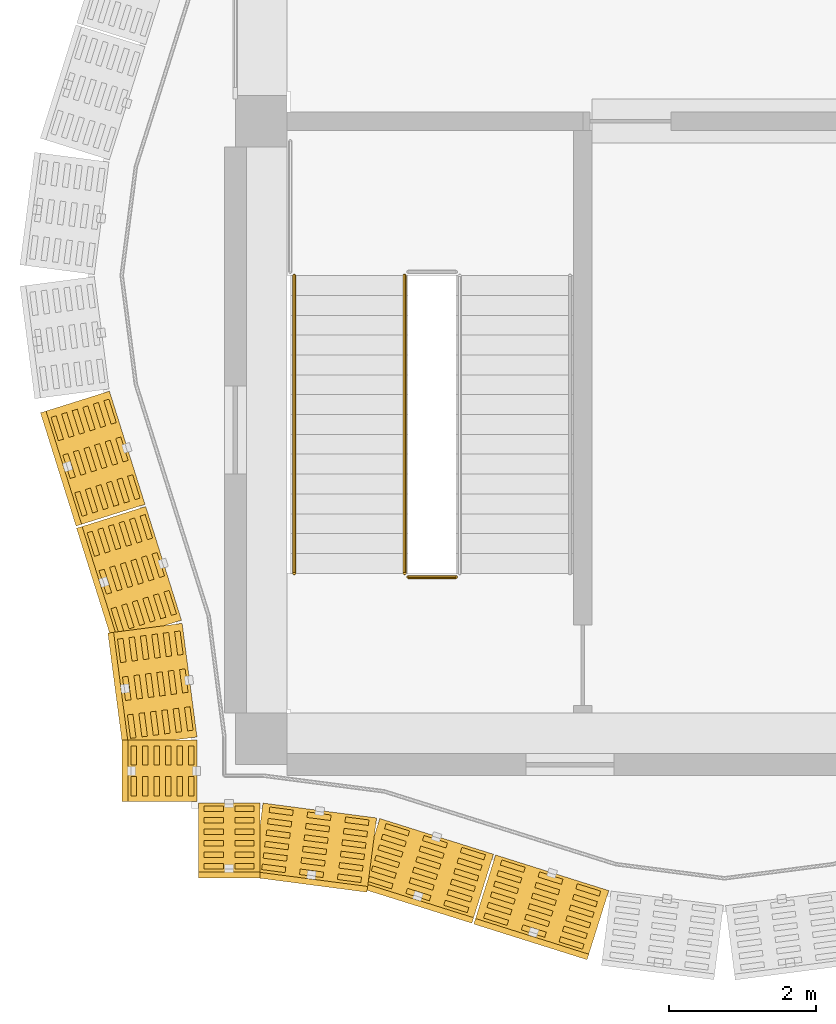
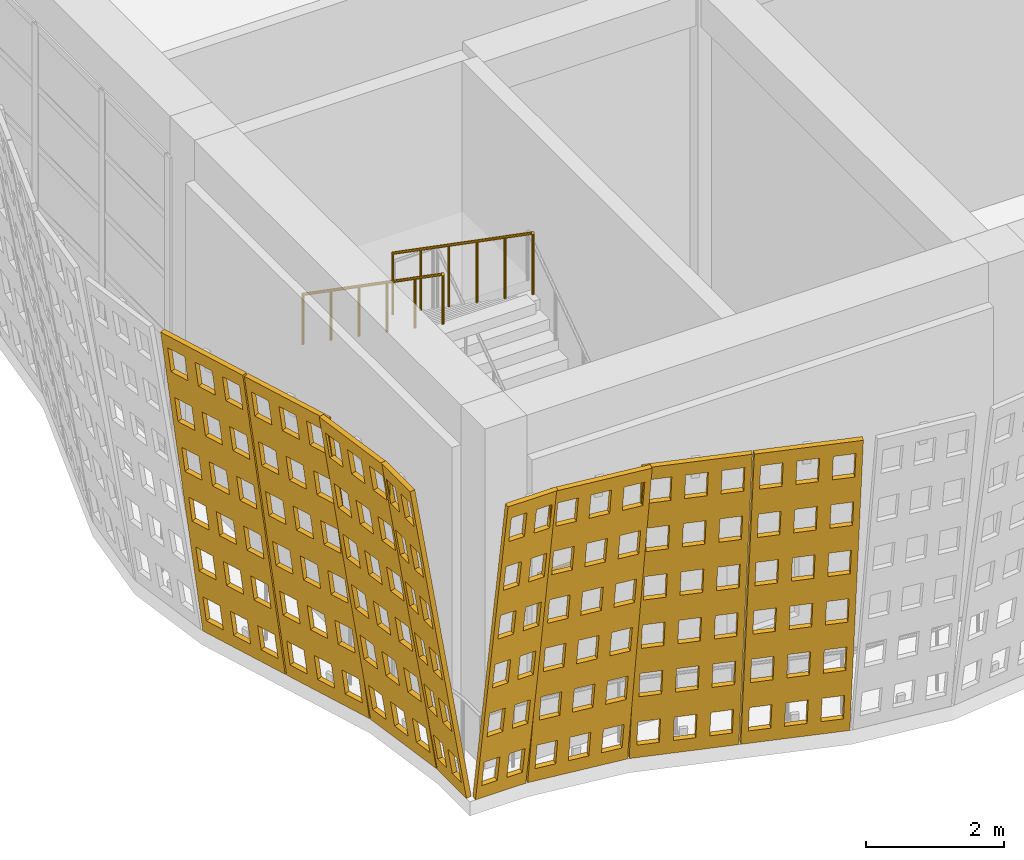
# One storey, part 148 of 210: 8 coverings, 3 railings.
"""IFC4 building model written with IfcOpenShell, lengths in metres."""

from ifc_helpers import new_model, si_unit, direction, frame, origin, origin_2d, place, context, subcontext, project, spatial, polyline, circle, outline, extrude, material, layer, layer_set, type_object, element, save


model = new_model("IFC4")

# Units and contexts
model_context = context("Model", 3, precision=1e-05, world=origin(), true_north=direction((0.0, 1.0)))
body_context = subcontext(model_context, "Body", "Model", "MODEL_VIEW")
ifc_project = project(units=[si_unit("LENGTHUNIT", "METRE"), si_unit("AREAUNIT", "SQUARE_METRE"), si_unit("VOLUMEUNIT", "CUBIC_METRE"), si_unit("PLANEANGLEUNIT", "RADIAN"), si_unit("MASSUNIT", "GRAM", prefix="KILO")], contexts=[model_context])

# Site, building, storey
site_placement = place(None, origin())
site = spatial("IfcSite", under=ifc_project, at=site_placement, CompositionType="ELEMENT")
building_placement = place(site_placement, origin())
building = spatial("IfcBuilding", under=site, at=building_placement, Name="Rain Tree Exposition and Congress Centre", CompositionType="ELEMENT")
storey_placement = place(building_placement, origin())
storey = spatial("IfcBuildingStorey", under=building, at=storey_placement, Name="L00", CompositionType="ELEMENT", Elevation=0.0)

# Coverings
ifc_material_1 = material(Name="Perforated terracotta", Category="masonry")
ifc_layer = layer(ifc_material_1, 0.080078125)
ifc_layer_set = layer_set([ifc_layer], Name="Perforated terracotta")
covering_type = type_object("IfcCoveringType", Name="Terracotta screen 80", PredefinedType="CLADDING", material=ifc_layer_set)
covering_1_placement = place(storey_placement, frame((0.0, -0.949951171875, 0.0), z_axis=(0.1280309309, 0.978522114732, 0.161562841373), x_axis=(-0.991548658387, 0.129735338481, 0.0)))
element("IfcCovering", 1, at=covering_1_placement, inside=storey, type_object=covering_type, Name="wing/screen/L00/001", PredefinedType="CLADDING", context=body_context, shape_type="SweptSolid", body=[
    extrude(outline(polyline([(-1.5732421875, 0.0), (-1.5732421875, 5.813720703125), (-0.014892578125, 5.813720703125), (-0.014892578125, 0.0), (-1.5732421875, 0.0)]), holes=[polyline([(-0.11376953125, 0.25), (-0.11376953125, 0.718994140625), (-0.435791015625, 0.718994140625), (-0.435791015625, 0.25), (-0.11376953125, 0.25)]), polyline([(-0.11376953125, 1.218994140625), (-0.11376953125, 1.687744140625), (-0.435791015625, 1.687744140625), (-0.435791015625, 1.218994140625), (-0.11376953125, 1.218994140625)]), polyline([(-0.11376953125, 2.18798828125), (-0.11376953125, 2.65673828125), (-0.435791015625, 2.65673828125), (-0.435791015625, 2.18798828125), (-0.11376953125, 2.18798828125)]), polyline([(-0.11376953125, 3.15673828125), (-0.11376953125, 3.625732421875), (-0.435791015625, 3.625732421875), (-0.435791015625, 3.15673828125), (-0.11376953125, 3.15673828125)]), polyline([(-0.11376953125, 4.125732421875), (-0.11376953125, 4.594482421875), (-0.435791015625, 4.594482421875), (-0.435791015625, 4.125732421875), (-0.11376953125, 4.125732421875)]), polyline([(-0.11376953125, 5.0947265625), (-0.11376953125, 5.5634765625), (-0.435791015625, 5.5634765625), (-0.435791015625, 5.0947265625), (-0.11376953125, 5.0947265625)]), polyline([(-0.633056640625, 0.25), (-0.633056640625, 0.718994140625), (-0.955078125, 0.718994140625), (-0.955078125, 0.25), (-0.633056640625, 0.25)]), polyline([(-0.633056640625, 1.218994140625), (-0.633056640625, 1.687744140625), (-0.955078125, 1.687744140625), (-0.955078125, 1.218994140625), (-0.633056640625, 1.218994140625)]), polyline([(-0.633056640625, 2.18798828125), (-0.633056640625, 2.65673828125), (-0.955078125, 2.65673828125), (-0.955078125, 2.18798828125), (-0.633056640625, 2.18798828125)]), polyline([(-0.633056640625, 3.15673828125), (-0.633056640625, 3.625732421875), (-0.955078125, 3.625732421875), (-0.955078125, 3.15673828125), (-0.633056640625, 3.15673828125)]), polyline([(-0.633056640625, 4.125732421875), (-0.633056640625, 4.594482421875), (-0.955078125, 4.594482421875), (-0.955078125, 4.125732421875), (-0.633056640625, 4.125732421875)]), polyline([(-0.633056640625, 5.0947265625), (-0.633056640625, 5.5634765625), (-0.955078125, 5.5634765625), (-0.955078125, 5.0947265625), (-0.633056640625, 5.0947265625)]), polyline([(-1.152587890625, 0.25), (-1.152587890625, 0.718994140625), (-1.474609375, 0.718994140625), (-1.474609375, 0.25), (-1.152587890625, 0.25)]), polyline([(-1.152587890625, 1.218994140625), (-1.152587890625, 1.687744140625), (-1.474609375, 1.687744140625), (-1.474609375, 1.218994140625), (-1.152587890625, 1.218994140625)]), polyline([(-1.152587890625, 2.18798828125), (-1.152587890625, 2.65673828125), (-1.474609375, 2.65673828125), (-1.474609375, 2.18798828125), (-1.152587890625, 2.18798828125)]), polyline([(-1.152587890625, 3.15673828125), (-1.152587890625, 3.625732421875), (-1.474609375, 3.625732421875), (-1.474609375, 3.15673828125), (-1.152587890625, 3.15673828125)]), polyline([(-1.152587890625, 4.125732421875), (-1.152587890625, 4.594482421875), (-1.474609375, 4.594482421875), (-1.474609375, 4.125732421875), (-1.152587890625, 4.125732421875)]), polyline([(-1.152587890625, 5.0947265625), (-1.152587890625, 5.5634765625), (-1.474609375, 5.5634765625), (-1.474609375, 5.0947265625), (-1.152587890625, 5.0947265625)])]), origin(), (0.0, 0.0, 1.0), 0.080078125),
])
covering_2_placement = place(storey_placement, frame((1.574951171875, -1.155029296875, 0.0), z_axis=(0.295859611525, 0.942480618158, 0.155555053482), x_axis=(-0.954094597562, 0.29950542383, 0.0)))
element("IfcCovering", 2, at=covering_2_placement, inside=storey, type_object=covering_type, Name="wing/screen/L00/002", PredefinedType="CLADDING", context=body_context, shape_type="SweptSolid", body=[
    extrude(outline(polyline([(-1.635986328125, 0.0), (-1.635986328125, 5.808349609375), (-0.014892578125, 5.808349609375), (-0.014892578125, 0.0), (-1.635986328125, 0.0)]), holes=[polyline([(-0.11767578125, 0.249755859375), (-0.11767578125, 0.71826171875), (-0.45263671875, 0.71826171875), (-0.45263671875, 0.249755859375), (-0.11767578125, 0.249755859375)]), polyline([(-0.11767578125, 1.218017578125), (-0.11767578125, 1.686279296875), (-0.45263671875, 1.686279296875), (-0.45263671875, 1.218017578125), (-0.11767578125, 1.218017578125)]), polyline([(-0.11767578125, 2.18603515625), (-0.11767578125, 2.654296875), (-0.45263671875, 2.654296875), (-0.45263671875, 2.18603515625), (-0.11767578125, 2.18603515625)]), polyline([(-0.11767578125, 3.154052734375), (-0.11767578125, 3.62255859375), (-0.45263671875, 3.62255859375), (-0.45263671875, 3.154052734375), (-0.11767578125, 3.154052734375)]), polyline([(-0.11767578125, 4.1220703125), (-0.11767578125, 4.590576171875), (-0.45263671875, 4.590576171875), (-0.45263671875, 4.1220703125), (-0.11767578125, 4.1220703125)]), polyline([(-0.11767578125, 5.090087890625), (-0.11767578125, 5.55859375), (-0.45263671875, 5.55859375), (-0.45263671875, 5.090087890625), (-0.11767578125, 5.090087890625)]), polyline([(-0.657958984375, 0.249755859375), (-0.657958984375, 0.71826171875), (-0.992919921875, 0.71826171875), (-0.992919921875, 0.249755859375), (-0.657958984375, 0.249755859375)]), polyline([(-0.657958984375, 1.218017578125), (-0.657958984375, 1.686279296875), (-0.992919921875, 1.686279296875), (-0.992919921875, 1.218017578125), (-0.657958984375, 1.218017578125)]), polyline([(-0.657958984375, 2.18603515625), (-0.657958984375, 2.654296875), (-0.992919921875, 2.654296875), (-0.992919921875, 2.18603515625), (-0.657958984375, 2.18603515625)]), polyline([(-0.657958984375, 3.154052734375), (-0.657958984375, 3.62255859375), (-0.992919921875, 3.62255859375), (-0.992919921875, 3.154052734375), (-0.657958984375, 3.154052734375)]), polyline([(-0.657958984375, 4.1220703125), (-0.657958984375, 4.590576171875), (-0.992919921875, 4.590576171875), (-0.992919921875, 4.1220703125), (-0.657958984375, 4.1220703125)]), polyline([(-0.657958984375, 5.090087890625), (-0.657958984375, 5.55859375), (-0.992919921875, 5.55859375), (-0.992919921875, 5.090087890625), (-0.657958984375, 5.090087890625)]), polyline([(-1.1982421875, 0.249755859375), (-1.1982421875, 0.71826171875), (-1.533203125, 0.71826171875), (-1.533203125, 0.249755859375), (-1.1982421875, 0.249755859375)]), polyline([(-1.1982421875, 1.218017578125), (-1.1982421875, 1.686279296875), (-1.533203125, 1.686279296875), (-1.533203125, 1.218017578125), (-1.1982421875, 1.218017578125)]), polyline([(-1.1982421875, 2.18603515625), (-1.1982421875, 2.654296875), (-1.533203125, 2.654296875), (-1.533203125, 2.18603515625), (-1.1982421875, 2.18603515625)]), polyline([(-1.1982421875, 3.154052734375), (-1.1982421875, 3.62255859375), (-1.533203125, 3.62255859375), (-1.533203125, 3.154052734375), (-1.1982421875, 3.154052734375)]), polyline([(-1.1982421875, 4.1220703125), (-1.1982421875, 4.590576171875), (-1.533203125, 4.590576171875), (-1.533203125, 4.1220703125), (-1.1982421875, 4.1220703125)]), polyline([(-1.1982421875, 5.090087890625), (-1.1982421875, 5.55859375), (-1.533203125, 5.55859375), (-1.533203125, 5.090087890625), (-1.1982421875, 5.090087890625)])]), origin(), (0.0, 0.0, 1.0), 0.080078125),
])
covering_3_placement = place(storey_placement, frame((3.14990234375, -1.64990234375, 0.0), z_axis=(0.296712403937, 0.94213835477, 0.156003428874), x_axis=(-0.953816392794, 0.300390227601, 0.0)))
element("IfcCovering", 3, at=covering_3_placement, inside=storey, type_object=covering_type, Name="wing/screen/L00/003", PredefinedType="CLADDING", context=body_context, shape_type="SweptSolid", body=[
    extrude(outline(polyline([(-1.62890625, 0.0), (-1.62890625, 5.808349609375), (-0.014892578125, 5.808349609375), (-0.014892578125, 0.0), (-1.62890625, 0.0)]), holes=[polyline([(-0.1171875, 0.249755859375), (-0.1171875, 0.71826171875), (-0.45068359375, 0.71826171875), (-0.45068359375, 0.249755859375), (-0.1171875, 0.249755859375)]), polyline([(-0.1171875, 1.218017578125), (-0.1171875, 1.686279296875), (-0.45068359375, 1.686279296875), (-0.45068359375, 1.218017578125), (-0.1171875, 1.218017578125)]), polyline([(-0.1171875, 2.18603515625), (-0.1171875, 2.654296875), (-0.45068359375, 2.654296875), (-0.45068359375, 2.18603515625), (-0.1171875, 2.18603515625)]), polyline([(-0.1171875, 3.154052734375), (-0.1171875, 3.62255859375), (-0.45068359375, 3.62255859375), (-0.45068359375, 3.154052734375), (-0.1171875, 3.154052734375)]), polyline([(-0.1171875, 4.1220703125), (-0.1171875, 4.590576171875), (-0.45068359375, 4.590576171875), (-0.45068359375, 4.1220703125), (-0.1171875, 4.1220703125)]), polyline([(-0.1171875, 5.090087890625), (-0.1171875, 5.55859375), (-0.45068359375, 5.55859375), (-0.45068359375, 5.090087890625), (-0.1171875, 5.090087890625)]), polyline([(-0.6552734375, 0.249755859375), (-0.6552734375, 0.71826171875), (-0.98876953125, 0.71826171875), (-0.98876953125, 0.249755859375), (-0.6552734375, 0.249755859375)]), polyline([(-0.6552734375, 1.218017578125), (-0.6552734375, 1.686279296875), (-0.98876953125, 1.686279296875), (-0.98876953125, 1.218017578125), (-0.6552734375, 1.218017578125)]), polyline([(-0.6552734375, 2.18603515625), (-0.6552734375, 2.654296875), (-0.98876953125, 2.654296875), (-0.98876953125, 2.18603515625), (-0.6552734375, 2.18603515625)]), polyline([(-0.6552734375, 3.154052734375), (-0.6552734375, 3.62255859375), (-0.98876953125, 3.62255859375), (-0.98876953125, 3.154052734375), (-0.6552734375, 3.154052734375)]), polyline([(-0.6552734375, 4.1220703125), (-0.6552734375, 4.590576171875), (-0.98876953125, 4.590576171875), (-0.98876953125, 4.1220703125), (-0.6552734375, 4.1220703125)]), polyline([(-0.6552734375, 5.090087890625), (-0.6552734375, 5.55859375), (-0.98876953125, 5.55859375), (-0.98876953125, 5.090087890625), (-0.6552734375, 5.090087890625)]), polyline([(-1.193115234375, 0.249755859375), (-1.193115234375, 0.71826171875), (-1.526611328125, 0.71826171875), (-1.526611328125, 0.249755859375), (-1.193115234375, 0.249755859375)]), polyline([(-1.193115234375, 1.218017578125), (-1.193115234375, 1.686279296875), (-1.526611328125, 1.686279296875), (-1.526611328125, 1.218017578125), (-1.193115234375, 1.218017578125)]), polyline([(-1.193115234375, 2.18603515625), (-1.193115234375, 2.654296875), (-1.526611328125, 2.654296875), (-1.526611328125, 2.18603515625), (-1.193115234375, 2.18603515625)]), polyline([(-1.193115234375, 3.154052734375), (-1.193115234375, 3.62255859375), (-1.526611328125, 3.62255859375), (-1.526611328125, 3.154052734375), (-1.193115234375, 3.154052734375)]), polyline([(-1.193115234375, 4.1220703125), (-1.193115234375, 4.590576171875), (-1.526611328125, 4.590576171875), (-1.526611328125, 4.1220703125), (-1.193115234375, 4.1220703125)]), polyline([(-1.193115234375, 5.090087890625), (-1.193115234375, 5.55859375), (-1.526611328125, 5.55859375), (-1.526611328125, 5.090087890625), (-1.193115234375, 5.090087890625)])]), origin(), (0.0, 0.0, 1.0), 0.079833984375),
])
covering_4_placement = place(storey_placement, frame((-2.14501953125, 4.72509765625, 0.0), z_axis=(0.942480618158, 0.295859611525, 0.155555053482), x_axis=(-0.29950542383, 0.954094597562, 0.0)))
element("IfcCovering", 4, at=covering_4_placement, inside=storey, type_object=covering_type, Name="wing/screen/L00/132", PredefinedType="CLADDING", context=body_context, shape_type="SweptSolid", body=[
    extrude(outline(polyline([(-1.635986328125, 0.0), (-1.635986328125, 5.808349609375), (-0.02197265625, 5.808349609375), (-0.02197265625, 0.0), (-1.635986328125, 0.0)]), holes=[polyline([(-0.124267578125, 0.249755859375), (-0.124267578125, 0.71826171875), (-0.457763671875, 0.71826171875), (-0.457763671875, 0.249755859375), (-0.124267578125, 0.249755859375)]), polyline([(-0.124267578125, 1.218017578125), (-0.124267578125, 1.686279296875), (-0.457763671875, 1.686279296875), (-0.457763671875, 1.218017578125), (-0.124267578125, 1.218017578125)]), polyline([(-0.124267578125, 2.18603515625), (-0.124267578125, 2.654296875), (-0.457763671875, 2.654296875), (-0.457763671875, 2.18603515625), (-0.124267578125, 2.18603515625)]), polyline([(-0.124267578125, 3.154052734375), (-0.124267578125, 3.62255859375), (-0.457763671875, 3.62255859375), (-0.457763671875, 3.154052734375), (-0.124267578125, 3.154052734375)]), polyline([(-0.124267578125, 4.1220703125), (-0.124267578125, 4.590576171875), (-0.457763671875, 4.590576171875), (-0.457763671875, 4.1220703125), (-0.124267578125, 4.1220703125)]), polyline([(-0.124267578125, 5.090087890625), (-0.124267578125, 5.55859375), (-0.457763671875, 5.55859375), (-0.457763671875, 5.090087890625), (-0.124267578125, 5.090087890625)]), polyline([(-0.662109375, 0.249755859375), (-0.662109375, 0.71826171875), (-0.995849609375, 0.71826171875), (-0.995849609375, 0.249755859375), (-0.662109375, 0.249755859375)]), polyline([(-0.662109375, 1.218017578125), (-0.662109375, 1.686279296875), (-0.995849609375, 1.686279296875), (-0.995849609375, 1.218017578125), (-0.662109375, 1.218017578125)]), polyline([(-0.662109375, 2.18603515625), (-0.662109375, 2.654296875), (-0.995849609375, 2.654296875), (-0.995849609375, 2.18603515625), (-0.662109375, 2.18603515625)]), polyline([(-0.662109375, 3.154052734375), (-0.662109375, 3.62255859375), (-0.995849609375, 3.62255859375), (-0.995849609375, 3.154052734375), (-0.662109375, 3.154052734375)]), polyline([(-0.662109375, 4.1220703125), (-0.662109375, 4.590576171875), (-0.995849609375, 4.590576171875), (-0.995849609375, 4.1220703125), (-0.662109375, 4.1220703125)]), polyline([(-0.662109375, 5.090087890625), (-0.662109375, 5.55859375), (-0.995849609375, 5.55859375), (-0.995849609375, 5.090087890625), (-0.662109375, 5.090087890625)]), polyline([(-1.2001953125, 0.249755859375), (-1.2001953125, 0.71826171875), (-1.53369140625, 0.71826171875), (-1.53369140625, 0.249755859375), (-1.2001953125, 0.249755859375)]), polyline([(-1.2001953125, 1.218017578125), (-1.2001953125, 1.686279296875), (-1.53369140625, 1.686279296875), (-1.53369140625, 1.218017578125), (-1.2001953125, 1.218017578125)]), polyline([(-1.2001953125, 2.18603515625), (-1.2001953125, 2.654296875), (-1.53369140625, 2.654296875), (-1.53369140625, 2.18603515625), (-1.2001953125, 2.18603515625)]), polyline([(-1.2001953125, 3.154052734375), (-1.2001953125, 3.62255859375), (-1.53369140625, 3.62255859375), (-1.53369140625, 3.154052734375), (-1.2001953125, 3.154052734375)]), polyline([(-1.2001953125, 4.1220703125), (-1.2001953125, 4.590576171875), (-1.53369140625, 4.590576171875), (-1.53369140625, 4.1220703125), (-1.2001953125, 4.1220703125)]), polyline([(-1.2001953125, 5.090087890625), (-1.2001953125, 5.55859375), (-1.53369140625, 5.55859375), (-1.53369140625, 5.090087890625), (-1.2001953125, 5.090087890625)])]), origin(), (0.0, 0.0, 1.0), 0.080078125),
])
covering_5_placement = place(storey_placement, frame((-1.64990234375, 3.14990234375, 0.0), z_axis=(0.94213835477, 0.296712403937, 0.156003428874), x_axis=(-0.300390227601, 0.953816392794, 0.0)))
element("IfcCovering", 5, at=covering_5_placement, inside=storey, type_object=covering_type, Name="wing/screen/L00/133", PredefinedType="CLADDING", context=body_context, shape_type="SweptSolid", body=[
    extrude(outline(polyline([(-1.635986328125, 0.0), (-1.635986328125, 5.808349609375), (-0.014892578125, 5.808349609375), (-0.014892578125, 0.0), (-1.635986328125, 0.0)]), holes=[polyline([(-0.11767578125, 0.249755859375), (-0.11767578125, 0.71826171875), (-0.45263671875, 0.71826171875), (-0.45263671875, 0.249755859375), (-0.11767578125, 0.249755859375)]), polyline([(-0.11767578125, 1.218017578125), (-0.11767578125, 1.686279296875), (-0.45263671875, 1.686279296875), (-0.45263671875, 1.218017578125), (-0.11767578125, 1.218017578125)]), polyline([(-0.11767578125, 2.18603515625), (-0.11767578125, 2.654296875), (-0.45263671875, 2.654296875), (-0.45263671875, 2.18603515625), (-0.11767578125, 2.18603515625)]), polyline([(-0.11767578125, 3.154052734375), (-0.11767578125, 3.62255859375), (-0.45263671875, 3.62255859375), (-0.45263671875, 3.154052734375), (-0.11767578125, 3.154052734375)]), polyline([(-0.11767578125, 4.1220703125), (-0.11767578125, 4.590576171875), (-0.45263671875, 4.590576171875), (-0.45263671875, 4.1220703125), (-0.11767578125, 4.1220703125)]), polyline([(-0.11767578125, 5.090087890625), (-0.11767578125, 5.55859375), (-0.45263671875, 5.55859375), (-0.45263671875, 5.090087890625), (-0.11767578125, 5.090087890625)]), polyline([(-0.657958984375, 0.249755859375), (-0.657958984375, 0.71826171875), (-0.992919921875, 0.71826171875), (-0.992919921875, 0.249755859375), (-0.657958984375, 0.249755859375)]), polyline([(-0.657958984375, 1.218017578125), (-0.657958984375, 1.686279296875), (-0.992919921875, 1.686279296875), (-0.992919921875, 1.218017578125), (-0.657958984375, 1.218017578125)]), polyline([(-0.657958984375, 2.18603515625), (-0.657958984375, 2.654296875), (-0.992919921875, 2.654296875), (-0.992919921875, 2.18603515625), (-0.657958984375, 2.18603515625)]), polyline([(-0.657958984375, 3.154052734375), (-0.657958984375, 3.62255859375), (-0.992919921875, 3.62255859375), (-0.992919921875, 3.154052734375), (-0.657958984375, 3.154052734375)]), polyline([(-0.657958984375, 4.1220703125), (-0.657958984375, 4.590576171875), (-0.992919921875, 4.590576171875), (-0.992919921875, 4.1220703125), (-0.657958984375, 4.1220703125)]), polyline([(-0.657958984375, 5.090087890625), (-0.657958984375, 5.55859375), (-0.992919921875, 5.55859375), (-0.992919921875, 5.090087890625), (-0.657958984375, 5.090087890625)]), polyline([(-1.1982421875, 0.249755859375), (-1.1982421875, 0.71826171875), (-1.533203125, 0.71826171875), (-1.533203125, 0.249755859375), (-1.1982421875, 0.249755859375)]), polyline([(-1.1982421875, 1.218017578125), (-1.1982421875, 1.686279296875), (-1.533203125, 1.686279296875), (-1.533203125, 1.218017578125), (-1.1982421875, 1.218017578125)]), polyline([(-1.1982421875, 2.18603515625), (-1.1982421875, 2.654296875), (-1.533203125, 2.654296875), (-1.533203125, 2.18603515625), (-1.1982421875, 2.18603515625)]), polyline([(-1.1982421875, 3.154052734375), (-1.1982421875, 3.62255859375), (-1.533203125, 3.62255859375), (-1.533203125, 3.154052734375), (-1.1982421875, 3.154052734375)]), polyline([(-1.1982421875, 4.1220703125), (-1.1982421875, 4.590576171875), (-1.533203125, 4.590576171875), (-1.533203125, 4.1220703125), (-1.1982421875, 4.1220703125)]), polyline([(-1.1982421875, 5.090087890625), (-1.1982421875, 5.55859375), (-1.533203125, 5.55859375), (-1.533203125, 5.090087890625), (-1.1982421875, 5.090087890625)])]), origin(), (0.0, 0.0, 1.0), 0.079833984375),
])
covering_6_placement = place(storey_placement, frame((-1.155029296875, 1.574951171875, 0.0), z_axis=(0.978522114732, 0.1280309309, 0.161562841373), x_axis=(-0.129735338481, 0.991548658387, 0.0)))
element("IfcCovering", 6, at=covering_6_placement, inside=storey, type_object=covering_type, Name="wing/screen/L00/134", PredefinedType="CLADDING", context=body_context, shape_type="SweptSolid", body=[
    extrude(outline(polyline([(-1.5732421875, 0.0), (-1.5732421875, 5.813720703125), (-0.014892578125, 5.813720703125), (-0.014892578125, 0.0), (-1.5732421875, 0.0)]), holes=[polyline([(-0.11376953125, 0.25), (-0.11376953125, 0.718994140625), (-0.435791015625, 0.718994140625), (-0.435791015625, 0.25), (-0.11376953125, 0.25)]), polyline([(-0.11376953125, 1.218994140625), (-0.11376953125, 1.687744140625), (-0.435791015625, 1.687744140625), (-0.435791015625, 1.218994140625), (-0.11376953125, 1.218994140625)]), polyline([(-0.11376953125, 2.18798828125), (-0.11376953125, 2.65673828125), (-0.435791015625, 2.65673828125), (-0.435791015625, 2.18798828125), (-0.11376953125, 2.18798828125)]), polyline([(-0.11376953125, 3.15673828125), (-0.11376953125, 3.625732421875), (-0.435791015625, 3.625732421875), (-0.435791015625, 3.15673828125), (-0.11376953125, 3.15673828125)]), polyline([(-0.11376953125, 4.125732421875), (-0.11376953125, 4.594482421875), (-0.435791015625, 4.594482421875), (-0.435791015625, 4.125732421875), (-0.11376953125, 4.125732421875)]), polyline([(-0.11376953125, 5.0947265625), (-0.11376953125, 5.5634765625), (-0.435791015625, 5.5634765625), (-0.435791015625, 5.0947265625), (-0.11376953125, 5.0947265625)]), polyline([(-0.633056640625, 0.25), (-0.633056640625, 0.718994140625), (-0.955078125, 0.718994140625), (-0.955078125, 0.25), (-0.633056640625, 0.25)]), polyline([(-0.633056640625, 1.218994140625), (-0.633056640625, 1.687744140625), (-0.955078125, 1.687744140625), (-0.955078125, 1.218994140625), (-0.633056640625, 1.218994140625)]), polyline([(-0.633056640625, 2.18798828125), (-0.633056640625, 2.65673828125), (-0.955078125, 2.65673828125), (-0.955078125, 2.18798828125), (-0.633056640625, 2.18798828125)]), polyline([(-0.633056640625, 3.15673828125), (-0.633056640625, 3.625732421875), (-0.955078125, 3.625732421875), (-0.955078125, 3.15673828125), (-0.633056640625, 3.15673828125)]), polyline([(-0.633056640625, 4.125732421875), (-0.633056640625, 4.594482421875), (-0.955078125, 4.594482421875), (-0.955078125, 4.125732421875), (-0.633056640625, 4.125732421875)]), polyline([(-0.633056640625, 5.0947265625), (-0.633056640625, 5.5634765625), (-0.955078125, 5.5634765625), (-0.955078125, 5.0947265625), (-0.633056640625, 5.0947265625)]), polyline([(-1.152587890625, 0.25), (-1.152587890625, 0.718994140625), (-1.474609375, 0.718994140625), (-1.474609375, 0.25), (-1.152587890625, 0.25)]), polyline([(-1.152587890625, 1.218994140625), (-1.152587890625, 1.687744140625), (-1.474609375, 1.687744140625), (-1.474609375, 1.218994140625), (-1.152587890625, 1.218994140625)]), polyline([(-1.152587890625, 2.18798828125), (-1.152587890625, 2.65673828125), (-1.474609375, 2.65673828125), (-1.474609375, 2.18798828125), (-1.152587890625, 2.18798828125)]), polyline([(-1.152587890625, 3.15673828125), (-1.152587890625, 3.625732421875), (-1.474609375, 3.625732421875), (-1.474609375, 3.15673828125), (-1.152587890625, 3.15673828125)]), polyline([(-1.152587890625, 4.125732421875), (-1.152587890625, 4.594482421875), (-1.474609375, 4.594482421875), (-1.474609375, 4.125732421875), (-1.152587890625, 4.125732421875)]), polyline([(-1.152587890625, 5.0947265625), (-1.152587890625, 5.5634765625), (-1.474609375, 5.5634765625), (-1.474609375, 5.0947265625), (-1.152587890625, 5.0947265625)])]), origin(), (0.0, 0.0, 1.0), 0.080078125),
])
covering_7_placement = place(storey_placement, frame((-0.949951171875, 0.0, 0.0), z_axis=(0.98680366745, 0.0, 0.161921344814), x_axis=(0.0, 1.0, 0.0)))
element("IfcCovering", 7, at=covering_7_placement, inside=storey, type_object=covering_type, Name="wing/screen/L00/135", PredefinedType="CLADDING", context=body_context, shape_type="SweptSolid", body=[
    extrude(outline(polyline([(-0.85498046875, 0.0), (-0.85498046875, 5.814697265625), (-0.014892578125, 5.814697265625), (-0.014892578125, 0.0), (-0.85498046875, 0.0)]), holes=[polyline([(-0.0947265625, 0.25), (-0.0947265625, 0.718994140625), (-0.355224609375, 0.718994140625), (-0.355224609375, 0.25), (-0.0947265625, 0.25)]), polyline([(-0.0947265625, 1.21923828125), (-0.0947265625, 1.688232421875), (-0.355224609375, 1.688232421875), (-0.355224609375, 1.21923828125), (-0.0947265625, 1.21923828125)]), polyline([(-0.0947265625, 2.1884765625), (-0.0947265625, 2.6572265625), (-0.355224609375, 2.6572265625), (-0.355224609375, 2.1884765625), (-0.0947265625, 2.1884765625)]), polyline([(-0.0947265625, 3.157470703125), (-0.0947265625, 3.62646484375), (-0.355224609375, 3.62646484375), (-0.355224609375, 3.157470703125), (-0.0947265625, 3.157470703125)]), polyline([(-0.0947265625, 4.126708984375), (-0.0947265625, 4.595458984375), (-0.355224609375, 4.595458984375), (-0.355224609375, 4.126708984375), (-0.0947265625, 4.126708984375)]), polyline([(-0.0947265625, 5.095703125), (-0.0947265625, 5.564697265625), (-0.355224609375, 5.564697265625), (-0.355224609375, 5.095703125), (-0.0947265625, 5.095703125)]), polyline([(-0.514892578125, 0.25), (-0.514892578125, 0.718994140625), (-0.775146484375, 0.718994140625), (-0.775146484375, 0.25), (-0.514892578125, 0.25)]), polyline([(-0.514892578125, 1.21923828125), (-0.514892578125, 1.688232421875), (-0.775146484375, 1.688232421875), (-0.775146484375, 1.21923828125), (-0.514892578125, 1.21923828125)]), polyline([(-0.514892578125, 2.1884765625), (-0.514892578125, 2.6572265625), (-0.775146484375, 2.6572265625), (-0.775146484375, 2.1884765625), (-0.514892578125, 2.1884765625)]), polyline([(-0.514892578125, 3.157470703125), (-0.514892578125, 3.62646484375), (-0.775146484375, 3.62646484375), (-0.775146484375, 3.157470703125), (-0.514892578125, 3.157470703125)]), polyline([(-0.514892578125, 4.126708984375), (-0.514892578125, 4.595458984375), (-0.775146484375, 4.595458984375), (-0.775146484375, 4.126708984375), (-0.514892578125, 4.126708984375)]), polyline([(-0.514892578125, 5.095703125), (-0.514892578125, 5.564697265625), (-0.775146484375, 5.564697265625), (-0.775146484375, 5.095703125), (-0.514892578125, 5.095703125)])]), origin(), (0.0, 0.0, 1.0), 0.079833984375),
])
covering_8_placement = place(storey_placement, frame((-0.949951171875, -0.949951171875, 0.0), z_axis=(0.0, 0.98680366745, 0.161921344814), x_axis=(-1.0, 0.0, 0.0)))
element("IfcCovering", 8, at=covering_8_placement, inside=storey, type_object=covering_type, Name="wing/screen/L00/136", PredefinedType="CLADDING", context=body_context, shape_type="SweptSolid", body=[
    extrude(outline(polyline([(-0.93505859375, 0.0), (-0.93505859375, 5.814697265625), (-0.094970703125, 5.814697265625), (-0.094970703125, 0.0), (-0.93505859375, 0.0)]), holes=[polyline([(-0.1748046875, 0.25), (-0.1748046875, 0.718994140625), (-0.435302734375, 0.718994140625), (-0.435302734375, 0.25), (-0.1748046875, 0.25)]), polyline([(-0.1748046875, 1.21923828125), (-0.1748046875, 1.688232421875), (-0.435302734375, 1.688232421875), (-0.435302734375, 1.21923828125), (-0.1748046875, 1.21923828125)]), polyline([(-0.1748046875, 2.1884765625), (-0.1748046875, 2.6572265625), (-0.435302734375, 2.6572265625), (-0.435302734375, 2.1884765625), (-0.1748046875, 2.1884765625)]), polyline([(-0.1748046875, 3.157470703125), (-0.1748046875, 3.62646484375), (-0.435302734375, 3.62646484375), (-0.435302734375, 3.157470703125), (-0.1748046875, 3.157470703125)]), polyline([(-0.1748046875, 4.126708984375), (-0.1748046875, 4.595458984375), (-0.435302734375, 4.595458984375), (-0.435302734375, 4.126708984375), (-0.1748046875, 4.126708984375)]), polyline([(-0.1748046875, 5.095703125), (-0.1748046875, 5.564697265625), (-0.435302734375, 5.564697265625), (-0.435302734375, 5.095703125), (-0.1748046875, 5.095703125)]), polyline([(-0.5947265625, 0.25), (-0.5947265625, 0.718994140625), (-0.855224609375, 0.718994140625), (-0.855224609375, 0.25), (-0.5947265625, 0.25)]), polyline([(-0.5947265625, 1.21923828125), (-0.5947265625, 1.688232421875), (-0.855224609375, 1.688232421875), (-0.855224609375, 1.21923828125), (-0.5947265625, 1.21923828125)]), polyline([(-0.5947265625, 2.1884765625), (-0.5947265625, 2.6572265625), (-0.855224609375, 2.6572265625), (-0.855224609375, 2.1884765625), (-0.5947265625, 2.1884765625)]), polyline([(-0.5947265625, 3.157470703125), (-0.5947265625, 3.62646484375), (-0.855224609375, 3.62646484375), (-0.855224609375, 3.157470703125), (-0.5947265625, 3.157470703125)]), polyline([(-0.5947265625, 4.126708984375), (-0.5947265625, 4.595458984375), (-0.855224609375, 4.595458984375), (-0.855224609375, 4.126708984375), (-0.5947265625, 4.126708984375)]), polyline([(-0.5947265625, 5.095703125), (-0.5947265625, 5.564697265625), (-0.855224609375, 5.564697265625), (-0.855224609375, 5.095703125), (-0.5947265625, 5.095703125)])]), origin(), (0.0, 0.0, 1.0), 0.079833984375),
])

# Railings
ifc_material_2 = material(Name="Steel S355J2H", Category="steel")
railing_type_1 = type_object("IfcRailingType", Name="Wing stair guard 1100", PredefinedType="GUARDRAIL", material=ifc_material_2)
railing_1_placement = place(storey_placement, frame((1.949951171875, 6.300048828125, 3.1875)))
element("IfcRailing", 9, at=railing_1_placement, inside=storey, type_object=railing_type_1, Name="L00 ST-W1 stair guard 3", PredefinedType="GUARDRAIL", context=body_context, shape_type="SweptSolid", body=[
    extrude(circle(Radius=0.02392578125, at=origin_2d()), frame((0.0, 0.0, 1.076171875), z_axis=(0.0, -0.821373187493, 0.570391170047), x_axis=(1.0, 0.0, 0.0)), (0.0, 0.0, 1.0), 4.930908203125),
    extrude(circle(Radius=0.02099609375, at=origin_2d()), origin(), (0.0, 0.0, 1.0), 1.052001953125),
    extrude(circle(Radius=0.02099609375, at=origin_2d()), frame((0.0, -0.81005859375, 0.5625)), (0.0, 0.0, 1.0), 1.052001953125),
    extrude(circle(Radius=0.02099609375, at=origin_2d()), frame((0.0, -1.6201171875, 1.125)), (0.0, 0.0, 1.0), 1.052001953125),
    extrude(circle(Radius=0.02099609375, at=origin_2d()), frame((0.0, -2.429931640625, 1.6875)), (0.0, 0.0, 1.0), 1.052001953125),
    extrude(circle(Radius=0.02099609375, at=origin_2d()), frame((0.0, -3.239990234375, 2.25)), (0.0, 0.0, 1.0), 1.052001953125),
    extrude(circle(Radius=0.02099609375, at=origin_2d()), frame((0.0, -4.050048828125, 2.8125)), (0.0, 0.0, 1.0), 1.052001953125),
])
railing_2_placement = place(storey_placement, frame((2.64990234375, 2.199951171875, 0.0)))
element("IfcRailing", 10, at=railing_2_placement, inside=storey, type_object=railing_type_1, Name="L00 ST-W1 stair guard 4", PredefinedType="GUARDRAIL", context=body_context, shape_type="SweptSolid", body=[
    extrude(circle(Radius=0.02392578125, at=origin_2d()), frame((0.0, 0.0, 1.076171875), z_axis=(-1.0, 0.0, 0.0), x_axis=(0.0, -1.0, 0.0)), (0.0, 0.0, 1.0), 0.64990234375),
    extrude(circle(Radius=0.02099609375, at=origin_2d()), origin(), (0.0, 0.0, 1.0), 1.052001953125),
    extrude(circle(Radius=0.02099609375, at=origin_2d()), frame((-0.64990234375, 0.0, 0.0)), (0.0, 0.0, 1.0), 1.052001953125),
])
ifc_material_3 = material(Name="Steel S355J2H", Category="steel")
railing_type_2 = type_object("IfcRailingType", Name="Wing stair handrail 900", PredefinedType="HANDRAIL", material=ifc_material_3)
railing_3_placement = place(storey_placement, frame((0.449951171875, 6.300048828125, 3.1875)))
element("IfcRailing", 11, at=railing_3_placement, inside=storey, type_object=railing_type_2, Name="L00 ST-W1 stair handrail 2", PredefinedType="HANDRAIL", context=body_context, shape_type="SweptSolid", body=[
    extrude(circle(Radius=0.02392578125, at=origin_2d()), frame((0.0, 0.0, 0.8759765625), z_axis=(0.0, -0.821373187493, 0.570391170047), x_axis=(1.0, 0.0, 0.0)), (0.0, 0.0, 1.0), 4.930908203125),
    extrude(circle(Radius=0.02099609375, at=origin_2d()), origin(), (0.0, 0.0, 1.0), 0.851806640625),
    extrude(circle(Radius=0.02099609375, at=origin_2d()), frame((0.0, -0.81005859375, 0.5625)), (0.0, 0.0, 1.0), 0.851806640625),
    extrude(circle(Radius=0.02099609375, at=origin_2d()), frame((0.0, -1.6201171875, 1.125)), (0.0, 0.0, 1.0), 0.851806640625),
    extrude(circle(Radius=0.02099609375, at=origin_2d()), frame((0.0, -2.429931640625, 1.6875)), (0.0, 0.0, 1.0), 0.851806640625),
    extrude(circle(Radius=0.02099609375, at=origin_2d()), frame((0.0, -3.239990234375, 2.25)), (0.0, 0.0, 1.0), 0.851806640625),
    extrude(circle(Radius=0.02099609375, at=origin_2d()), frame((0.0, -4.050048828125, 2.8125)), (0.0, 0.0, 1.0), 0.851806640625),
])

save(model, "model.ifc")
